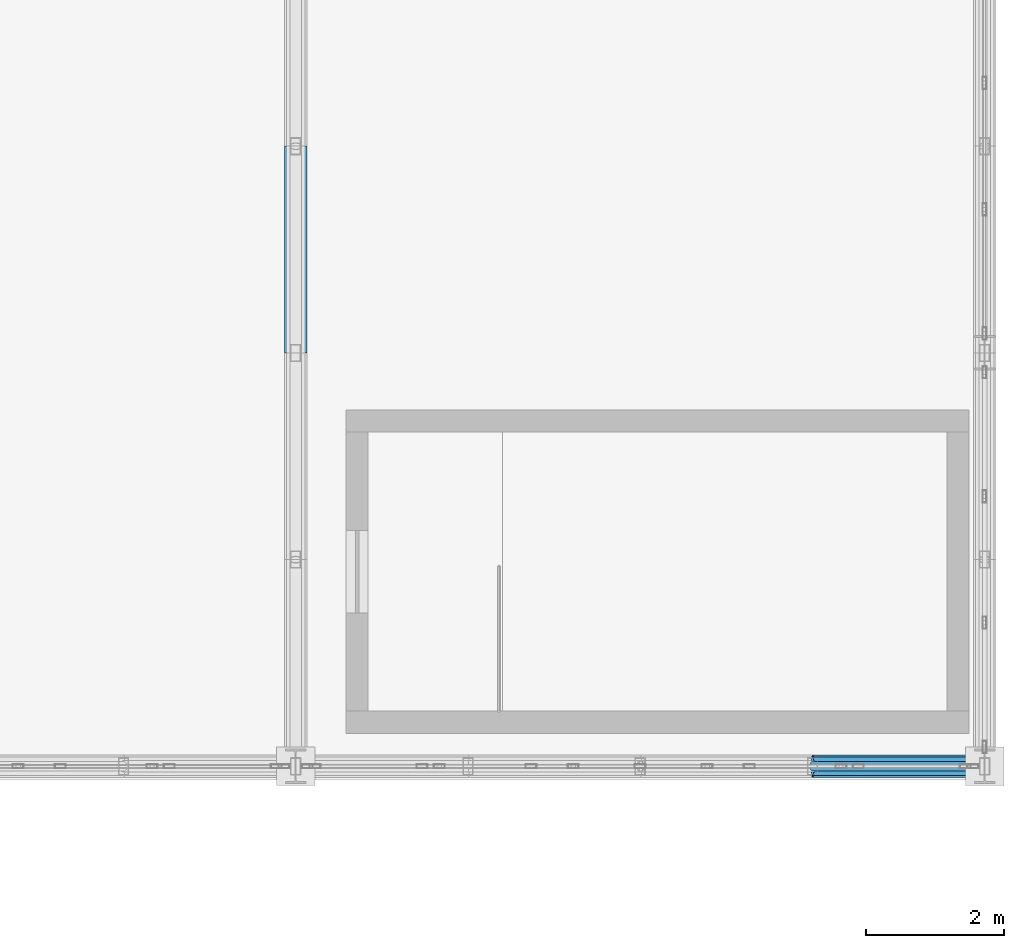
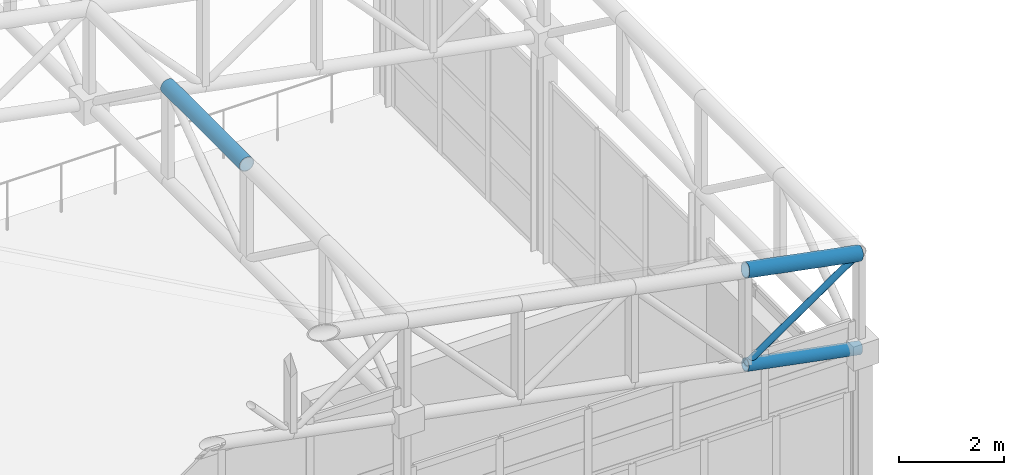
# One storey, part 53 of 112: 4 members.
"""IFC4 building model written with IfcOpenShell, lengths in metres."""

from ifc_helpers import new_model, si_unit, direction, frame, origin, origin_2d, place, context, subcontext, project, spatial, hollow_circle, extrude, material, material_profile, profile_set, type_object, element, save


model = new_model("IFC4")

# Units and contexts
model_context = context("Model", 3, precision=1e-05, world=origin(), true_north=direction((0.0, 1.0)))
body_context = subcontext(model_context, "Body", "Model", "MODEL_VIEW")
ifc_project = project(units=[si_unit("LENGTHUNIT", "METRE"), si_unit("AREAUNIT", "SQUARE_METRE"), si_unit("VOLUMEUNIT", "CUBIC_METRE"), si_unit("PLANEANGLEUNIT", "RADIAN"), si_unit("MASSUNIT", "GRAM", prefix="KILO")], contexts=[model_context])

# Site, building, storey
site_placement = place(None, origin())
site = spatial("IfcSite", under=ifc_project, at=site_placement, CompositionType="ELEMENT")
building_placement = place(site_placement, origin())
building = spatial("IfcBuilding", under=site, at=building_placement, Name="Kaldris Quays Convention Centre", CompositionType="ELEMENT")
storey_placement = place(building_placement, frame((0.0, 0.0, 16.800048828125)))
storey = spatial("IfcBuildingStorey", under=building, at=storey_placement, Name="L03", CompositionType="ELEMENT", Elevation=16.800048828125)

# Members
ifc_material = material(Name="Steel S355J2H", Category="steel")
ifc_material_profile_1 = material_profile(ifc_material, hollow_circle(Radius=0.161865234375, WallThickness=0.01611328125, at=origin_2d()), Name="CHS 323.9x16")
ifc_profile_set_1 = profile_set([ifc_material_profile_1], Name="Steel S355J2H")
member_type_1 = type_object("IfcMemberType", Name="STRUCTURAL MEMBER SC03", PredefinedType="CHORD", material=ifc_profile_set_1)
member_1_placement = place(storey_placement, frame((201.5, 56.0, 7.812744140625), z_axis=(0.981903710383, 0.0, -0.189380842579), x_axis=(0.0, 1.0, 0.0)))
element("IfcMember", 1, at=member_1_placement, inside=storey, type_object=member_type_1, Name="SF-V2 Top Chord X 15", PredefinedType="CHORD", context=body_context, shape_type="SweptSolid", body=[
    extrude(hollow_circle(Radius=0.161865234375, WallThickness=0.01611328125, at=origin_2d()), origin(), (0.0, 0.0, 1.0), 2.546142578125),
])
member_2_placement = place(storey_placement, frame((194.0, 62.0, 9.25927734375), z_axis=(0.0, 1.0, 0.0), x_axis=(-1.0, 0.0, 0.0)))
element("IfcMember", 2, at=member_2_placement, inside=storey, type_object=member_type_1, Name="SF-V2 Top Chord Y 126", PredefinedType="CHORD", context=body_context, shape_type="SweptSolid", body=[
    extrude(hollow_circle(Radius=0.161865234375, WallThickness=0.01611328125, at=origin_2d()), origin(), (0.0, 0.0, 1.0), 3.0),
])
ifc_material_profile_2 = material_profile(ifc_material, hollow_circle(Radius=0.136474609375, WallThickness=0.012451171875, at=origin_2d()), Name="CHS 273x12.5")
ifc_profile_set_2 = profile_set([ifc_material_profile_2], Name="Steel S355J2H")
member_type_2 = type_object("IfcMemberType", Name="STRUCTURAL MEMBER SC04", PredefinedType="CHORD", material=ifc_profile_set_2)
member_3_placement = place(storey_placement, frame((201.5, 56.0, 5.612548828125), z_axis=(0.981903710383, 0.0, -0.189380842579), x_axis=(0.0, 1.0, 0.0)))
element("IfcMember", 3, at=member_3_placement, inside=storey, type_object=member_type_2, Name="SF-V2 Bottom Chord X 15", PredefinedType="CHORD", context=body_context, shape_type="SweptSolid", body=[
    extrude(hollow_circle(Radius=0.136474609375, WallThickness=0.012451171875, at=origin_2d()), origin(), (0.0, 0.0, 1.0), 2.546142578125),
])
ifc_material_profile_3 = material_profile(ifc_material, hollow_circle(Radius=0.06982421875, WallThickness=0.00634765625, at=origin_2d()), Name="CHS 139.7x6.3")
ifc_profile_set_3 = profile_set([ifc_material_profile_3], Name="Steel S355J2H")
member_type_3 = type_object("IfcMemberType", Name="STRUCTURAL MEMBER SWB4", PredefinedType="BRACE", material=ifc_profile_set_3)
member_4_placement = place(storey_placement, frame((201.5, 56.0, 5.612548828125), z_axis=(0.824154627976, 0.0, 0.566364855182), x_axis=(0.0, 1.0, 0.0)))
element("IfcMember", 4, at=member_4_placement, inside=storey, type_object=member_type_3, Name="SF-V2 Web Diagonal X 15", PredefinedType="BRACE", context=body_context, shape_type="SweptSolid", body=[
    extrude(hollow_circle(Radius=0.06982421875, WallThickness=0.00634765625, at=origin_2d()), origin(), (0.0, 0.0, 1.0), 3.033447265625),
])

save(model, "model.ifc")
